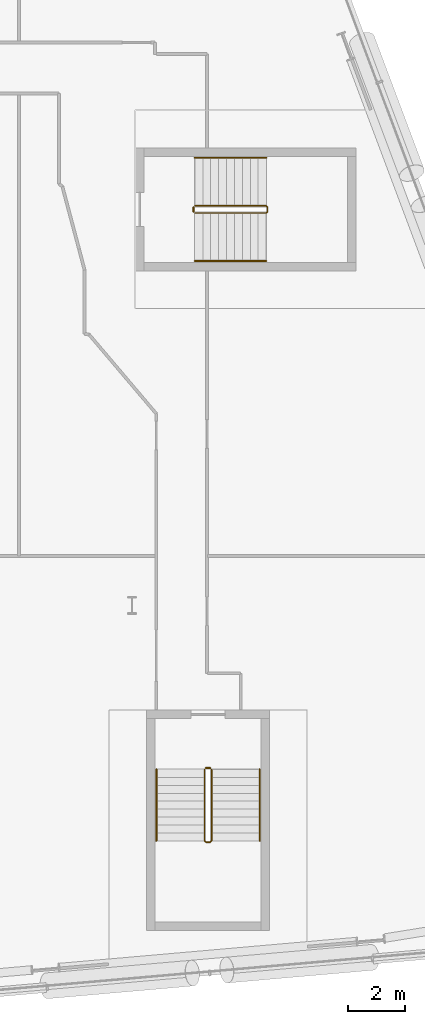
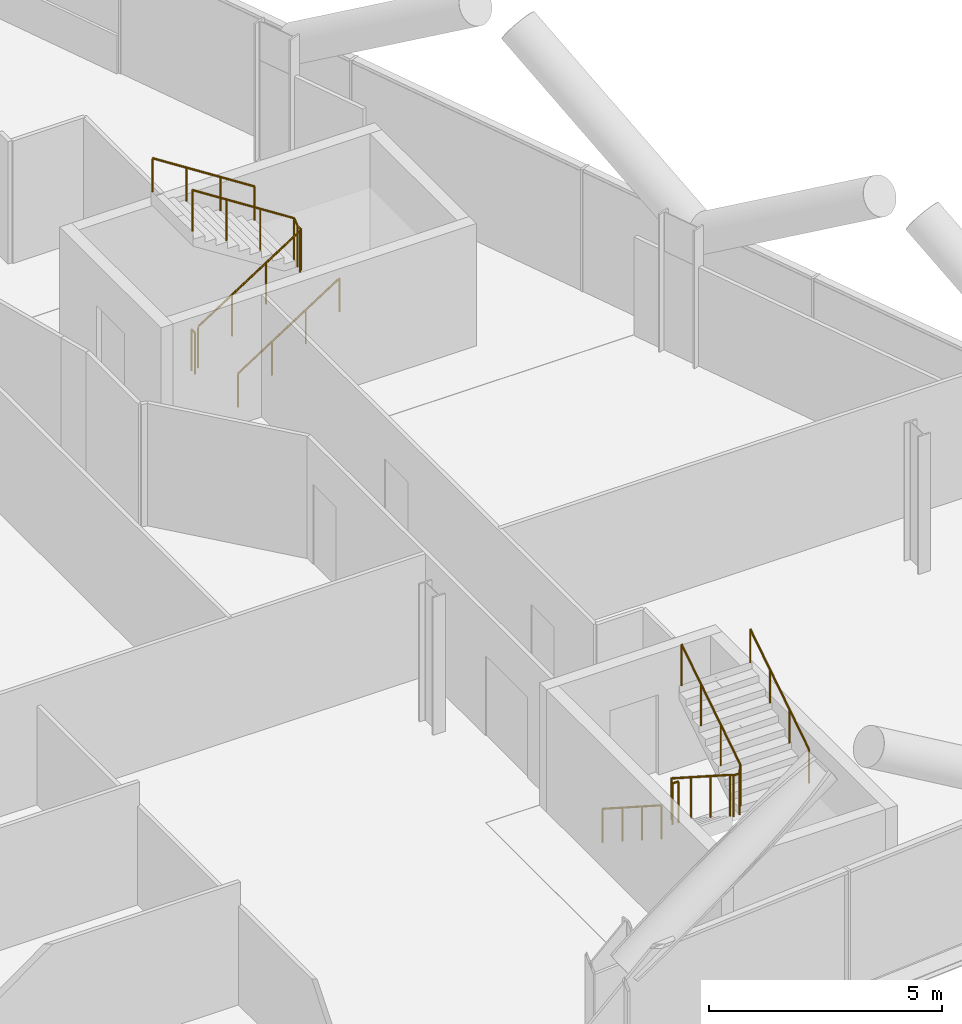
# One storey, part 27 of 27: 8 railings.
"""IFC4 building model written with IfcOpenShell, lengths in metres."""

from ifc_helpers import new_model, si_unit, direction, frame, origin, origin_2d, place, context, subcontext, project, spatial, circle, extrude, material, type_object, element, save


model = new_model("IFC4")

# Units and contexts
model_context = context("Model", 3, precision=1e-05, world=origin(), true_north=direction((0.0, 1.0)))
body_context = subcontext(model_context, "Body", "Model", "MODEL_VIEW")
ifc_project = project(units=[si_unit("LENGTHUNIT", "METRE"), si_unit("AREAUNIT", "SQUARE_METRE"), si_unit("VOLUMEUNIT", "CUBIC_METRE"), si_unit("PLANEANGLEUNIT", "RADIAN"), si_unit("MASSUNIT", "GRAM", prefix="KILO")], contexts=[model_context])

# Site, building, storey
site_placement = place(None, origin())
site = spatial("IfcSite", under=ifc_project, at=site_placement, CompositionType="ELEMENT")
building_placement = place(site_placement, origin())
building = spatial("IfcBuilding", under=site, at=building_placement, Name="Wharfspan Tower", CompositionType="ELEMENT")
storey_placement = place(building_placement, frame((0.0, 0.0, 73.899902)))
storey = spatial("IfcBuildingStorey", under=building, at=storey_placement, Name="L15", CompositionType="ELEMENT", Elevation=73.899902)

# Railings
ifc_material = material(Name="Steel S355J2", Category="steel")
railing_type_1 = type_object("IfcRailingType", Name="Stair guard 1100", PredefinedType="GUARDRAIL", material=ifc_material)
railing_1_placement = place(storey_placement, frame((74.567383, 5.691895, 0.180176)))
element("IfcRailing", 1, at=railing_1_placement, inside=storey, type_object=railing_type_1, Name="L15 ST5 stair guard 1", PredefinedType="GUARDRAIL", context=body_context, shape_type="SweptSolid", body=[
    extrude(circle(Radius=0.023926, at=origin_2d()), frame((0.0, 0.0, 1.076172), z_axis=(0.0, -0.841176, 0.540762), x_axis=(1.0, 0.0, 0.0)), (0.0, 0.0, 1.0), 2.995605),
    extrude(circle(Radius=0.023926, at=origin_2d()), frame((0.0, -2.519775, 2.695801), z_axis=(0.707107, -0.707107, 0.0), x_axis=(0.707107, 0.707107, 0.0)), (0.0, 0.0, 1.0), 0.070801),
    extrude(circle(Radius=0.023926, at=origin_2d()), frame((0.050049, -2.569824, 2.695801), z_axis=(1.0, 0.0, 0.0), x_axis=(0.0, 1.0, 0.0)), (0.0, 0.0, 1.0), 0.150146),
    extrude(circle(Radius=0.023926, at=origin_2d()), frame((0.200195, -2.569824, 2.695801), z_axis=(0.257669, 0.258932, 0.930892), x_axis=(-0.708833, 0.705372, 1e-06)), (0.0, 0.0, 1.0), 0.193359),
    extrude(circle(Radius=0.023926, at=origin_2d()), frame((0.25, -2.519775, 2.875977), z_axis=(0.0, 0.841139, 0.540819), x_axis=(-1.0, 0.0, 0.0)), (0.0, 0.0, 1.0), 2.995605),
    extrude(circle(Radius=0.020996, at=origin_2d()), origin(), (0.0, 0.0, 1.0), 1.052002),
    extrude(circle(Radius=0.020996, at=origin_2d()), frame((0.0, -0.839844, 0.540039)), (0.0, 0.0, 1.0), 1.052002),
    extrude(circle(Radius=0.020996, at=origin_2d()), frame((0.0, -1.679932, 1.079834)), (0.0, 0.0, 1.0), 1.052002),
    extrude(circle(Radius=0.020996, at=origin_2d()), frame((0.0, -2.519775, 1.619873)), (0.0, 0.0, 1.0), 1.052002),
    extrude(circle(Radius=0.020996, at=origin_2d()), frame((0.050049, -2.569824, 1.619873)), (0.0, 0.0, 1.0), 1.052002),
    extrude(circle(Radius=0.020996, at=origin_2d()), frame((0.200195, -2.569824, 1.619873)), (0.0, 0.0, 1.0), 1.052002),
    extrude(circle(Radius=0.020996, at=origin_2d()), frame((0.25, -2.519775, 1.799805)), (0.0, 0.0, 1.0), 1.052002),
    extrude(circle(Radius=0.020996, at=origin_2d()), frame((0.25, -1.679932, 2.339844)), (0.0, 0.0, 1.0), 1.052002),
    extrude(circle(Radius=0.020996, at=origin_2d()), frame((0.25, -0.839844, 2.879883)), (0.0, 0.0, 1.0), 1.052002),
    extrude(circle(Radius=0.020996, at=origin_2d()), frame((0.25, 0.0, 3.419922)), (0.0, 0.0, 1.0), 1.052002),
])
railing_2_placement = place(storey_placement, frame((74.617432, 5.741943, 0.0)))
element("IfcRailing", 2, at=railing_2_placement, inside=storey, type_object=railing_type_1, Name="L15 ST5 stair guard 2", PredefinedType="GUARDRAIL", context=body_context, shape_type="SweptSolid", body=[
    extrude(circle(Radius=0.023926, at=origin_2d()), frame((0.0, 0.0, 1.076172), z_axis=(1.0, 0.0, 0.0), x_axis=(0.0, 1.0, 0.0)), (0.0, 0.0, 1.0), 0.150146),
    extrude(circle(Radius=0.020996, at=origin_2d()), origin(), (0.0, 0.0, 1.0), 1.052002),
    extrude(circle(Radius=0.020996, at=origin_2d()), frame((0.150146, 0.0, 0.0)), (0.0, 0.0, 1.0), 1.052002),
])
railing_3_placement = place(storey_placement, frame((74.225098, 25.375, 0.180176)))
element("IfcRailing", 3, at=railing_3_placement, inside=storey, type_object=railing_type_1, Name="L15 ST6 stair guard 1", PredefinedType="GUARDRAIL", context=body_context, shape_type="SweptSolid", body=[
    extrude(circle(Radius=0.023926, at=origin_2d()), frame((0.0, 0.0, 1.076172), z_axis=(0.8412, 0.0, 0.540725), x_axis=(0.0, 1.0, 0.0)), (0.0, 0.0, 1.0), 2.99585),
    extrude(circle(Radius=0.023926, at=origin_2d()), frame((2.52002, 0.0, 2.695801), z_axis=(0.705376, 0.708834, 0.0), x_axis=(-0.708834, 0.705376, 0.0)), (0.0, 0.0, 1.0), 0.070557),
    extrude(circle(Radius=0.023926, at=origin_2d()), frame((2.569824, 0.050049, 2.695801), z_axis=(0.0, 1.0, 0.0), x_axis=(-1.0, 0.0, 0.0)), (0.0, 0.0, 1.0), 0.149902),
    extrude(circle(Radius=0.023926, at=origin_2d()), frame((2.569824, 0.199951, 2.695801), z_axis=(-0.257669, 0.258932, 0.930892), x_axis=(-0.708833, -0.705372, -1e-06)), (0.0, 0.0, 1.0), 0.193359),
    extrude(circle(Radius=0.023926, at=origin_2d()), frame((2.52002, 0.25, 2.875977), z_axis=(-0.841163, 0.0, 0.540782), x_axis=(0.0, -1.0, 0.0)), (0.0, 0.0, 1.0), 2.99585),
    extrude(circle(Radius=0.020996, at=origin_2d()), origin(), (0.0, 0.0, 1.0), 1.052002),
    extrude(circle(Radius=0.020996, at=origin_2d()), frame((0.840088, 0.0, 0.540039)), (0.0, 0.0, 1.0), 1.052002),
    extrude(circle(Radius=0.020996, at=origin_2d()), frame((1.679932, 0.0, 1.079834)), (0.0, 0.0, 1.0), 1.052002),
    extrude(circle(Radius=0.020996, at=origin_2d()), frame((2.52002, 0.0, 1.619873)), (0.0, 0.0, 1.0), 1.052002),
    extrude(circle(Radius=0.020996, at=origin_2d()), frame((2.569824, 0.050049, 1.619873)), (0.0, 0.0, 1.0), 1.052002),
    extrude(circle(Radius=0.020996, at=origin_2d()), frame((2.569824, 0.199951, 1.619873)), (0.0, 0.0, 1.0), 1.052002),
    extrude(circle(Radius=0.020996, at=origin_2d()), frame((2.52002, 0.25, 1.799805)), (0.0, 0.0, 1.0), 1.052002),
    extrude(circle(Radius=0.020996, at=origin_2d()), frame((1.679932, 0.25, 2.339844)), (0.0, 0.0, 1.0), 1.052002),
    extrude(circle(Radius=0.020996, at=origin_2d()), frame((0.840088, 0.25, 2.879883)), (0.0, 0.0, 1.0), 1.052002),
    extrude(circle(Radius=0.020996, at=origin_2d()), frame((0.0, 0.25, 3.419922)), (0.0, 0.0, 1.0), 1.052002),
])
railing_4_placement = place(storey_placement, frame((74.175049, 25.425049, 0.0)))
element("IfcRailing", 4, at=railing_4_placement, inside=storey, type_object=railing_type_1, Name="L15 ST6 stair guard 2", PredefinedType="GUARDRAIL", context=body_context, shape_type="SweptSolid", body=[
    extrude(circle(Radius=0.023926, at=origin_2d()), frame((0.0, 0.0, 1.076172), z_axis=(0.0, 1.0, 0.0), x_axis=(-1.0, 0.0, 0.0)), (0.0, 0.0, 1.0), 0.149902),
    extrude(circle(Radius=0.020996, at=origin_2d()), origin(), (0.0, 0.0, 1.0), 1.052002),
    extrude(circle(Radius=0.020996, at=origin_2d()), frame((0.0, 0.149902, 0.0)), (0.0, 0.0, 1.0), 1.052002),
])
railing_type_2 = type_object("IfcRailingType", Name="Stair handrail 900", PredefinedType="HANDRAIL", material=ifc_material)
railing_5_placement = place(storey_placement, frame((72.867432, 5.691895, 0.180176)))
element("IfcRailing", 5, at=railing_5_placement, inside=storey, type_object=railing_type_2, Name="L15 ST5 stair handrail 1", PredefinedType="HANDRAIL", context=body_context, shape_type="SweptSolid", body=[
    extrude(circle(Radius=0.023926, at=origin_2d()), frame((0.0, 0.0, 0.875977), z_axis=(0.0, -0.841176, 0.540762), x_axis=(1.0, 0.0, 0.0)), (0.0, 0.0, 1.0), 2.995605),
    extrude(circle(Radius=0.020996, at=origin_2d()), origin(), (0.0, 0.0, 1.0), 0.851807),
    extrude(circle(Radius=0.020996, at=origin_2d()), frame((0.0, -0.839844, 0.540039)), (0.0, 0.0, 1.0), 0.851807),
    extrude(circle(Radius=0.020996, at=origin_2d()), frame((0.0, -1.679932, 1.079834)), (0.0, 0.0, 1.0), 0.851807),
    extrude(circle(Radius=0.020996, at=origin_2d()), frame((0.0, -2.519775, 1.619873)), (0.0, 0.0, 1.0), 0.851807),
])
railing_6_placement = place(storey_placement, frame((76.517578, 3.172119, 1.97998)))
element("IfcRailing", 6, at=railing_6_placement, inside=storey, type_object=railing_type_2, Name="L15 ST5 stair handrail 2", PredefinedType="HANDRAIL", context=body_context, shape_type="SweptSolid", body=[
    extrude(circle(Radius=0.023926, at=origin_2d()), frame((0.0, 0.0, 0.875977), z_axis=(0.0, 0.841139, 0.540819), x_axis=(-1.0, 0.0, 0.0)), (0.0, 0.0, 1.0), 2.995605),
    extrude(circle(Radius=0.020996, at=origin_2d()), origin(), (0.0, 0.0, 1.0), 0.851807),
    extrude(circle(Radius=0.020996, at=origin_2d()), frame((0.0, 0.839844, 0.540039)), (0.0, 0.0, 1.0), 0.851807),
    extrude(circle(Radius=0.020996, at=origin_2d()), frame((0.0, 1.679932, 1.080078)), (0.0, 0.0, 1.0), 0.851807),
    extrude(circle(Radius=0.020996, at=origin_2d()), frame((0.0, 2.519775, 1.620117)), (0.0, 0.0, 1.0), 0.851807),
])
railing_7_placement = place(storey_placement, frame((74.225098, 23.675049, 0.180176)))
element("IfcRailing", 7, at=railing_7_placement, inside=storey, type_object=railing_type_2, Name="L15 ST6 stair handrail 1", PredefinedType="HANDRAIL", context=body_context, shape_type="SweptSolid", body=[
    extrude(circle(Radius=0.023926, at=origin_2d()), frame((0.0, 0.0, 0.875977), z_axis=(0.8412, 0.0, 0.540725), x_axis=(0.0, 1.0, 0.0)), (0.0, 0.0, 1.0), 2.99585),
    extrude(circle(Radius=0.020996, at=origin_2d()), origin(), (0.0, 0.0, 1.0), 0.851807),
    extrude(circle(Radius=0.020996, at=origin_2d()), frame((0.840088, 0.0, 0.540039)), (0.0, 0.0, 1.0), 0.851807),
    extrude(circle(Radius=0.020996, at=origin_2d()), frame((1.679932, 0.0, 1.079834)), (0.0, 0.0, 1.0), 0.851807),
    extrude(circle(Radius=0.020996, at=origin_2d()), frame((2.52002, 0.0, 1.619873)), (0.0, 0.0, 1.0), 0.851807),
])
railing_8_placement = place(storey_placement, frame((76.745117, 27.324951, 1.97998)))
element("IfcRailing", 8, at=railing_8_placement, inside=storey, type_object=railing_type_2, Name="L15 ST6 stair handrail 2", PredefinedType="HANDRAIL", context=body_context, shape_type="SweptSolid", body=[
    extrude(circle(Radius=0.023926, at=origin_2d()), frame((0.0, 0.0, 0.875977), z_axis=(-0.841163, 0.0, 0.540782), x_axis=(0.0, -1.0, 0.0)), (0.0, 0.0, 1.0), 2.99585),
    extrude(circle(Radius=0.020996, at=origin_2d()), origin(), (0.0, 0.0, 1.0), 0.851807),
    extrude(circle(Radius=0.020996, at=origin_2d()), frame((-0.840088, 0.0, 0.540039)), (0.0, 0.0, 1.0), 0.851807),
    extrude(circle(Radius=0.020996, at=origin_2d()), frame((-1.679932, 0.0, 1.080078)), (0.0, 0.0, 1.0), 0.851807),
    extrude(circle(Radius=0.020996, at=origin_2d()), frame((-2.52002, 0.0, 1.620117)), (0.0, 0.0, 1.0), 0.851807),
])

save(model, "model.ifc")
